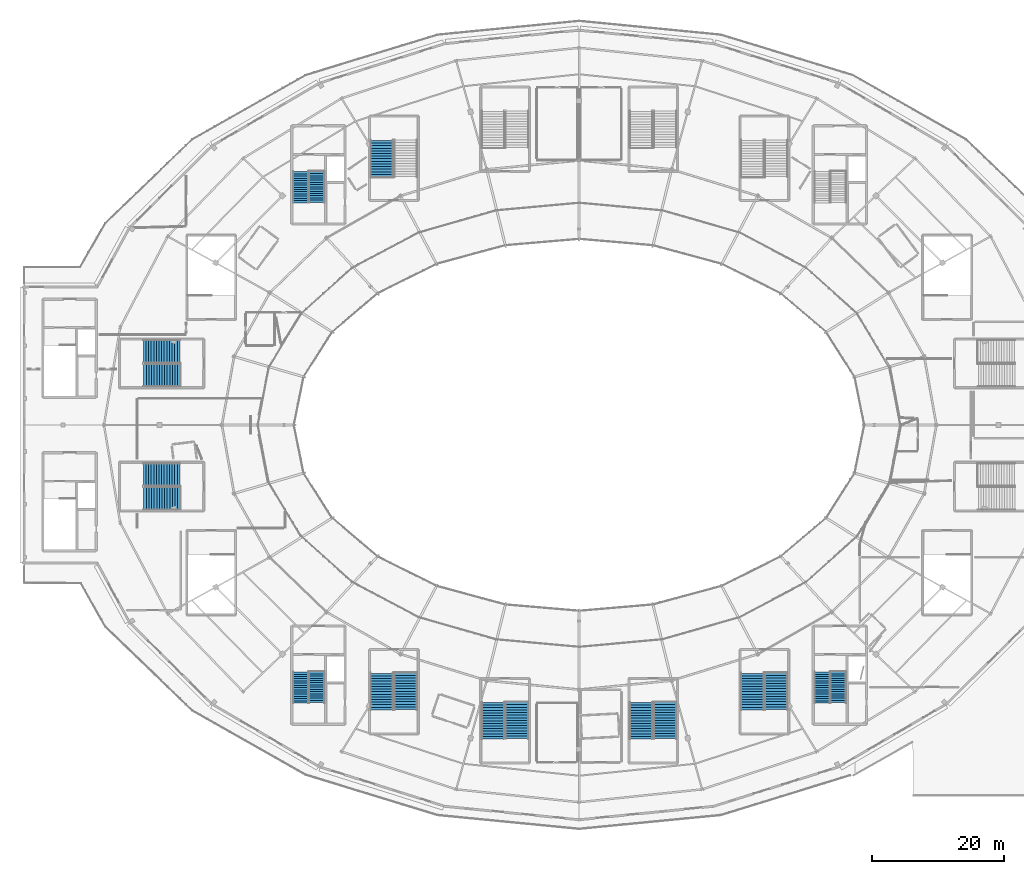
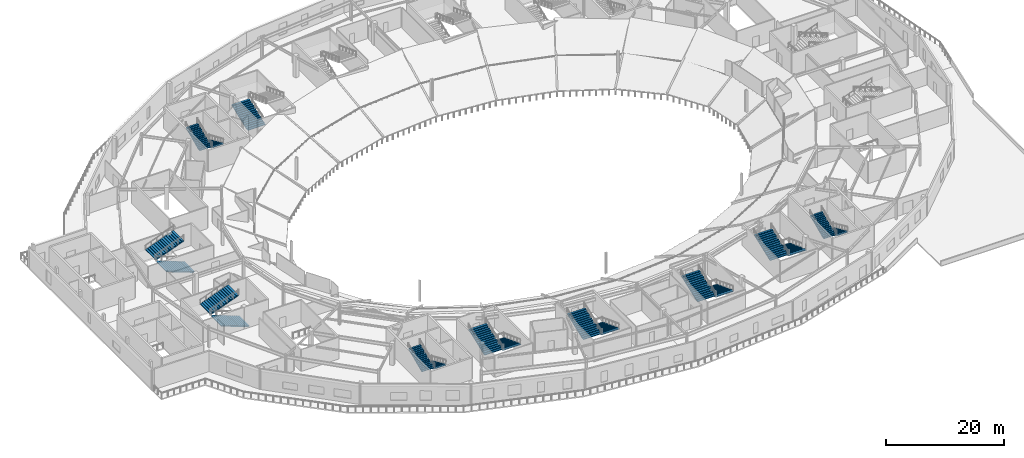
# One storey, part 43 of 63: 19 stair flights, 10 elements without a shape of their own.
"""IFC4 building model written with IfcOpenShell, lengths in metres."""

from ifc_helpers import new_model, si_unit, direction, frame, origin, place, context, subcontext, project, spatial, polyline, outline, extrude, material, type_object, element, aggregate, save


model = new_model("IFC4")

# Units and contexts
model_context = context("Model", 3, precision=1e-05, world=origin(), true_north=direction((0.0, 1.0)))
body_context = subcontext(model_context, "Body", "Model", "MODEL_VIEW")
ifc_project = project(units=[si_unit("LENGTHUNIT", "METRE"), si_unit("AREAUNIT", "SQUARE_METRE"), si_unit("VOLUMEUNIT", "CUBIC_METRE"), si_unit("PLANEANGLEUNIT", "RADIAN"), si_unit("MASSUNIT", "GRAM", prefix="KILO")], contexts=[model_context])

# Site, building, storey
site_placement = place(None, origin())
site = spatial("IfcSite", under=ifc_project, at=site_placement, CompositionType="ELEMENT")
building_placement = place(site_placement, origin())
building = spatial("IfcBuilding", under=site, at=building_placement, Name="Kalgoora Escarpment Arena", CompositionType="ELEMENT")
storey_placement = place(building_placement, frame((0.0, 0.0, 14.39990234375)))
storey = spatial("IfcBuildingStorey", under=building, at=storey_placement, Name="L03", CompositionType="ELEMENT", Elevation=14.39990234375)

# Stair, stair flights
ifc_material_1 = material(Name="Concrete N40 (fc' 40 MPa)", Category="concrete")
stair_type_1 = type_object("IfcStairType", Name="STR-EXIT-1", PredefinedType="HALF_TURN_STAIR", material=ifc_material_1)
stair_1_placement = place(storey_placement, origin())
stair_1 = element("IfcStair", 1, at=stair_1_placement, inside=storey, type_object=stair_type_1, Name="Fire-isolated exit stair ST05 (L03)", PredefinedType="HALF_TURN_STAIR")
ifc_material_2 = material(Name="Concrete N40 (fc' 40 MPa)", Category="concrete")
stair_flight_type_1 = type_object("IfcStairFlightType", Name="FLT-EXIT-1", PredefinedType="STRAIGHT", material=ifc_material_2)
stair_flight_1_placement = place(storey_placement, frame((52.760009765625, 26.72998046875, 0.0), z_axis=(0.0, 0.0, 1.0), x_axis=(0.0, -1.0, 0.0)))
stair_flight_1 = element("IfcStairFlight", 2, at=stair_flight_1_placement, type_object=stair_flight_type_1, Name="ST05 L03 lower flight", NumberOfRisers=15, NumberOfTreads=14, PredefinedType="STRAIGHT", RiserHeight=0.15, TreadLength=0.335, context=body_context, shape_type="SweptSolid", body=[
    extrude(outline(polyline([(0.0, 0.0), (0.0, 0.14990234375), (0.3349609375, 0.14990234375), (0.3349609375, 0.300048828125), (0.669921875, 0.300048828125), (0.669921875, 0.449951171875), (1.0048828125, 0.449951171875), (1.0048828125, 0.60009765625), (1.340087890625, 0.60009765625), (1.340087890625, 0.75), (1.675048828125, 0.75), (1.675048828125, 0.89990234375), (2.010009765625, 0.89990234375), (2.010009765625, 1.050048828125), (2.344970703125, 1.050048828125), (2.344970703125, 1.199951171875), (2.679931640625, 1.199951171875), (2.679931640625, 1.35009765625), (3.014892578125, 1.35009765625), (3.014892578125, 1.5), (3.35009765625, 1.5), (3.35009765625, 1.64990234375), (3.68505859375, 1.64990234375), (3.68505859375, 1.800048828125), (4.02001953125, 1.800048828125), (4.02001953125, 1.949951171875), (4.35498046875, 1.949951171875), (4.35498046875, 2.10009765625), (4.68994140625, 2.10009765625), (4.68994140625, 2.25), (4.68994140625, 1.913818359375), (0.415771484375, 0.0), (0.0, 0.0)])), frame((0.0, 1.18994140625, 0.0), z_axis=(0.0, -1.0, 0.0), x_axis=(1.0, 0.0, 0.0)), (0.0, 0.0, 1.0), 2.3798828125),
])
stair_flight_2_placement = place(storey_placement, frame((50.340087890625, 21.97998046875, 2.25), z_axis=(0.0, 0.0, 1.0), x_axis=(0.0, 1.0, 0.0)))
stair_flight_2 = element("IfcStairFlight", 3, at=stair_flight_2_placement, type_object=stair_flight_type_1, Name="ST05 L03 upper flight", NumberOfRisers=15, NumberOfTreads=14, PredefinedType="STRAIGHT", RiserHeight=0.15, TreadLength=0.335, context=body_context, shape_type="SweptSolid", body=[
    extrude(outline(polyline([(0.0, 0.0), (0.0, 0.14990234375), (0.3349609375, 0.14990234375), (0.3349609375, 0.300048828125), (0.669921875, 0.300048828125), (0.669921875, 0.449951171875), (1.0048828125, 0.449951171875), (1.0048828125, 0.60009765625), (1.340087890625, 0.60009765625), (1.340087890625, 0.75), (1.675048828125, 0.75), (1.675048828125, 0.89990234375), (2.010009765625, 0.89990234375), (2.010009765625, 1.050048828125), (2.344970703125, 1.050048828125), (2.344970703125, 1.199951171875), (2.679931640625, 1.199951171875), (2.679931640625, 1.35009765625), (3.014892578125, 1.35009765625), (3.014892578125, 1.5), (3.35009765625, 1.5), (3.35009765625, 1.64990234375), (3.68505859375, 1.64990234375), (3.68505859375, 1.800048828125), (4.02001953125, 1.800048828125), (4.02001953125, 1.949951171875), (4.35498046875, 1.949951171875), (4.35498046875, 2.10009765625), (4.68994140625, 2.10009765625), (4.68994140625, 2.25), (4.68994140625, 1.913818359375), (0.415771484375, 0.0), (0.0, 0.0)])), frame((0.0, 1.18994140625, 0.0), z_axis=(0.0, -1.0, 0.0), x_axis=(1.0, 0.0, 0.0)), (0.0, 0.0, 1.0), 2.3798828125),
])
aggregate(stair_1, [stair_flight_1, stair_flight_2])

ifc_material_3 = material(Name="Concrete N40 (fc' 40 MPa)", Category="concrete")
stair_type_2 = type_object("IfcStairType", Name="STR-EXIT-2", PredefinedType="HALF_TURN_STAIR", material=ifc_material_3)
stair_2_placement = place(storey_placement, origin())
stair_2 = element("IfcStair", 4, at=stair_2_placement, inside=storey, type_object=stair_type_2, Name="Fire-isolated exit stair ST06 (L03)", PredefinedType="HALF_TURN_STAIR")
ifc_material_4 = material(Name="Concrete N40 (fc' 40 MPa)", Category="concrete")
stair_flight_type_2 = type_object("IfcStairFlightType", Name="FLT-EXIT-2", PredefinedType="STRAIGHT", material=ifc_material_4)
stair_flight_3_placement = place(storey_placement, frame((131.5576171875, 26.72998046875, 0.0), z_axis=(0.0, 0.0, 1.0), x_axis=(0.0, -1.0, 0.0)))
stair_flight_3 = element("IfcStairFlight", 5, at=stair_flight_3_placement, type_object=stair_flight_type_2, Name="ST06 L03 lower flight", NumberOfRisers=15, NumberOfTreads=14, PredefinedType="STRAIGHT", RiserHeight=0.15, TreadLength=0.335, context=body_context, shape_type="SweptSolid", body=[
    extrude(outline(polyline([(0.0, 0.0), (0.0, 0.14990234375), (0.3349609375, 0.14990234375), (0.3349609375, 0.300048828125), (0.669921875, 0.300048828125), (0.669921875, 0.449951171875), (1.0048828125, 0.449951171875), (1.0048828125, 0.60009765625), (1.340087890625, 0.60009765625), (1.340087890625, 0.75), (1.675048828125, 0.75), (1.675048828125, 0.89990234375), (2.010009765625, 0.89990234375), (2.010009765625, 1.050048828125), (2.344970703125, 1.050048828125), (2.344970703125, 1.199951171875), (2.679931640625, 1.199951171875), (2.679931640625, 1.35009765625), (3.014892578125, 1.35009765625), (3.014892578125, 1.5), (3.35009765625, 1.5), (3.35009765625, 1.64990234375), (3.68505859375, 1.64990234375), (3.68505859375, 1.800048828125), (4.02001953125, 1.800048828125), (4.02001953125, 1.949951171875), (4.35498046875, 1.949951171875), (4.35498046875, 2.10009765625), (4.68994140625, 2.10009765625), (4.68994140625, 2.25), (4.68994140625, 1.913818359375), (0.415771484375, 0.0), (0.0, 0.0)])), frame((0.0, 1.1923828125, 0.0), z_axis=(0.0, -1.0, 0.0), x_axis=(1.0, 0.0, 0.0)), (0.0, 0.0, 1.0), 2.385009765625),
])
stair_flight_4_placement = place(storey_placement, frame((129.142578125, 21.97998046875, 2.25), z_axis=(0.0, 0.0, 1.0), x_axis=(0.0, 1.0, 0.0)))
stair_flight_4 = element("IfcStairFlight", 6, at=stair_flight_4_placement, type_object=stair_flight_type_2, Name="ST06 L03 upper flight", NumberOfRisers=15, NumberOfTreads=14, PredefinedType="STRAIGHT", RiserHeight=0.15, TreadLength=0.335, context=body_context, shape_type="SweptSolid", body=[
    extrude(outline(polyline([(0.0, 0.0), (0.0, 0.14990234375), (0.3349609375, 0.14990234375), (0.3349609375, 0.300048828125), (0.669921875, 0.300048828125), (0.669921875, 0.449951171875), (1.0048828125, 0.449951171875), (1.0048828125, 0.60009765625), (1.340087890625, 0.60009765625), (1.340087890625, 0.75), (1.675048828125, 0.75), (1.675048828125, 0.89990234375), (2.010009765625, 0.89990234375), (2.010009765625, 1.050048828125), (2.344970703125, 1.050048828125), (2.344970703125, 1.199951171875), (2.679931640625, 1.199951171875), (2.679931640625, 1.35009765625), (3.014892578125, 1.35009765625), (3.014892578125, 1.5), (3.35009765625, 1.5), (3.35009765625, 1.64990234375), (3.68505859375, 1.64990234375), (3.68505859375, 1.800048828125), (4.02001953125, 1.800048828125), (4.02001953125, 1.949951171875), (4.35498046875, 1.949951171875), (4.35498046875, 2.10009765625), (4.68994140625, 2.10009765625), (4.68994140625, 2.25), (4.68994140625, 1.913818359375), (0.415771484375, 0.0), (0.0, 0.0)])), frame((0.0, 1.1923828125, 0.0), z_axis=(0.0, -1.0, 0.0), x_axis=(1.0, 0.0, 0.0)), (0.0, 0.0, 1.0), 2.385009765625),
])
aggregate(stair_2, [stair_flight_3, stair_flight_4])

ifc_material_5 = material(Name="Concrete N40 (fc' 40 MPa)", Category="concrete")
stair_type_3 = type_object("IfcStairType", Name="STR-EXIT-3", PredefinedType="HALF_TURN_STAIR", material=ifc_material_5)
stair_3_placement = place(storey_placement, origin())
stair_3 = element("IfcStair", 7, at=stair_3_placement, inside=storey, type_object=stair_type_3, Name="Fire-isolated exit stair ST03 (L03)", PredefinedType="HALF_TURN_STAIR")
ifc_material_6 = material(Name="Concrete N40 (fc' 40 MPa)", Category="concrete")
stair_flight_type_3 = type_object("IfcStairFlightType", Name="FLT-EXIT-3", PredefinedType="STRAIGHT", material=ifc_material_6)
stair_flight_5_placement = place(storey_placement, frame((52.7548828125, 102.330078125, 0.0), z_axis=(0.0, 0.0, 1.0), x_axis=(0.0, -1.0, 0.0)))
stair_flight_5 = element("IfcStairFlight", 8, at=stair_flight_5_placement, type_object=stair_flight_type_3, Name="ST03 L03 lower flight", NumberOfRisers=15, NumberOfTreads=14, PredefinedType="STRAIGHT", RiserHeight=0.15, TreadLength=0.335, context=body_context, shape_type="SweptSolid", body=[
    extrude(outline(polyline([(0.0, 0.0), (0.0, 0.14990234375), (0.3349609375, 0.14990234375), (0.3349609375, 0.300048828125), (0.669921875, 0.300048828125), (0.669921875, 0.449951171875), (1.0048828125, 0.449951171875), (1.0048828125, 0.60009765625), (1.340087890625, 0.60009765625), (1.340087890625, 0.75), (1.675048828125, 0.75), (1.675048828125, 0.89990234375), (2.010009765625, 0.89990234375), (2.010009765625, 1.050048828125), (2.344970703125, 1.050048828125), (2.344970703125, 1.199951171875), (2.679931640625, 1.199951171875), (2.679931640625, 1.35009765625), (3.014892578125, 1.35009765625), (3.014892578125, 1.5), (3.35009765625, 1.5), (3.35009765625, 1.64990234375), (3.68505859375, 1.64990234375), (3.68505859375, 1.800048828125), (4.02001953125, 1.800048828125), (4.02001953125, 1.949951171875), (4.35498046875, 1.949951171875), (4.35498046875, 2.10009765625), (4.68994140625, 2.10009765625), (4.68994140625, 2.25), (4.68994140625, 1.913818359375), (0.415771484375, 0.0), (0.0, 0.0)])), frame((0.0, 1.19482421875, 0.0), z_axis=(0.0, -1.0, 0.0), x_axis=(1.0, 0.0, 0.0)), (0.0, 0.0, 1.0), 2.389892578125),
])
stair_flight_6_placement = place(storey_placement, frame((50.344970703125, 97.580078125, 2.25), z_axis=(0.0, 0.0, 1.0), x_axis=(0.0, 1.0, 0.0)))
stair_flight_6 = element("IfcStairFlight", 9, at=stair_flight_6_placement, type_object=stair_flight_type_3, Name="ST03 L03 upper flight", NumberOfRisers=15, NumberOfTreads=14, PredefinedType="STRAIGHT", RiserHeight=0.15, TreadLength=0.335, context=body_context, shape_type="SweptSolid", body=[
    extrude(outline(polyline([(0.0, 0.0), (0.0, 0.14990234375), (0.3349609375, 0.14990234375), (0.3349609375, 0.300048828125), (0.669921875, 0.300048828125), (0.669921875, 0.449951171875), (1.0048828125, 0.449951171875), (1.0048828125, 0.60009765625), (1.340087890625, 0.60009765625), (1.340087890625, 0.75), (1.675048828125, 0.75), (1.675048828125, 0.89990234375), (2.010009765625, 0.89990234375), (2.010009765625, 1.050048828125), (2.344970703125, 1.050048828125), (2.344970703125, 1.199951171875), (2.679931640625, 1.199951171875), (2.679931640625, 1.35009765625), (3.014892578125, 1.35009765625), (3.014892578125, 1.5), (3.35009765625, 1.5), (3.35009765625, 1.64990234375), (3.68505859375, 1.64990234375), (3.68505859375, 1.800048828125), (4.02001953125, 1.800048828125), (4.02001953125, 1.949951171875), (4.35498046875, 1.949951171875), (4.35498046875, 2.10009765625), (4.68994140625, 2.10009765625), (4.68994140625, 2.25), (4.68994140625, 1.913818359375), (0.415771484375, 0.0), (0.0, 0.0)])), frame((0.0, 1.19482421875, 0.0), z_axis=(0.0, -1.0, 0.0), x_axis=(1.0, 0.0, 0.0)), (0.0, 0.0, 1.0), 2.389892578125),
])
aggregate(stair_3, [stair_flight_5, stair_flight_6])

# Stair, stair flight
ifc_material_7 = material(Name="Precast concrete N50 (fc' 50 MPa)", Category="concrete")
stair_type_4 = type_object("IfcStairType", Name="STR-STAD-1", PredefinedType="HALF_TURN_STAIR", material=ifc_material_7)
stair_4_placement = place(storey_placement, origin())
stair_4 = element("IfcStair", 10, at=stair_4_placement, inside=storey, type_object=stair_type_4, Name="Fire-isolated exit stair ST09 (L03)", PredefinedType="HALF_TURN_STAIR")
ifc_material_8 = material(Name="Precast concrete N50 (fc' 50 MPa)", Category="concrete")
stair_flight_type_4 = type_object("IfcStairFlightType", Name="FLT-STAD-1", PredefinedType="STRAIGHT", material=ifc_material_8)
stair_flight_7_placement = place(storey_placement, frame((62.592529296875, 101.469970703125, 0.0), z_axis=(0.0, 0.0, 1.0), x_axis=(0.0, 1.0, 0.0)))
stair_flight_7 = element("IfcStairFlight", 11, at=stair_flight_7_placement, type_object=stair_flight_type_4, Name="ST09 L03 lower flight", NumberOfRisers=15, NumberOfTreads=14, PredefinedType="STRAIGHT", RiserHeight=0.15, TreadLength=0.395, context=body_context, shape_type="SweptSolid", body=[
    extrude(outline(polyline([(0.0, 0.0), (0.0, 0.14990234375), (0.39501953125, 0.14990234375), (0.39501953125, 0.300048828125), (0.7900390625, 0.300048828125), (0.7900390625, 0.449951171875), (1.18505859375, 0.449951171875), (1.18505859375, 0.60009765625), (1.580078125, 0.60009765625), (1.580078125, 0.75), (1.97509765625, 0.75), (1.97509765625, 0.89990234375), (2.3701171875, 0.89990234375), (2.3701171875, 1.050048828125), (2.764892578125, 1.050048828125), (2.764892578125, 1.199951171875), (3.159912109375, 1.199951171875), (3.159912109375, 1.35009765625), (3.554931640625, 1.35009765625), (3.554931640625, 1.5), (3.949951171875, 1.5), (3.949951171875, 1.64990234375), (4.344970703125, 1.64990234375), (4.344970703125, 1.800048828125), (4.739990234375, 1.800048828125), (4.739990234375, 1.949951171875), (5.135009765625, 1.949951171875), (5.135009765625, 2.10009765625), (5.530029296875, 2.10009765625), (5.530029296875, 2.25), (5.530029296875, 1.918212890625), (0.478759765625, 0.0), (0.0, 0.0)])), frame((0.0, 1.74267578125, 0.0), z_axis=(0.0, -1.0, 0.0), x_axis=(1.0, 0.0, 0.0)), (0.0, 0.0, 1.0), 3.485107421875),
])
aggregate(stair_4, [stair_flight_7])

# Stair, stair flights
stair_5_placement = place(storey_placement, origin())
stair_5 = element("IfcStair", 12, at=stair_5_placement, inside=storey, type_object=stair_type_4, Name="Fire-isolated exit stair ST13 (L03)", PredefinedType="HALF_TURN_STAIR")
stair_flight_8_placement = place(storey_placement, frame((66.20751953125, 26.530029296875, 0.0), z_axis=(0.0, 0.0, 1.0), x_axis=(0.0, -1.0, 0.0)))
stair_flight_8 = element("IfcStairFlight", 13, at=stair_flight_8_placement, type_object=stair_flight_type_4, Name="ST13 L03 lower flight", NumberOfRisers=15, NumberOfTreads=14, PredefinedType="STRAIGHT", RiserHeight=0.15, TreadLength=0.395, context=body_context, shape_type="SweptSolid", body=[
    extrude(outline(polyline([(0.0, 0.0), (0.0, 0.14990234375), (0.39501953125, 0.14990234375), (0.39501953125, 0.300048828125), (0.7900390625, 0.300048828125), (0.7900390625, 0.449951171875), (1.18505859375, 0.449951171875), (1.18505859375, 0.60009765625), (1.580078125, 0.60009765625), (1.580078125, 0.75), (1.97509765625, 0.75), (1.97509765625, 0.89990234375), (2.3701171875, 0.89990234375), (2.3701171875, 1.050048828125), (2.764892578125, 1.050048828125), (2.764892578125, 1.199951171875), (3.159912109375, 1.199951171875), (3.159912109375, 1.35009765625), (3.554931640625, 1.35009765625), (3.554931640625, 1.5), (3.949951171875, 1.5), (3.949951171875, 1.64990234375), (4.344970703125, 1.64990234375), (4.344970703125, 1.800048828125), (4.739990234375, 1.800048828125), (4.739990234375, 1.949951171875), (5.135009765625, 1.949951171875), (5.135009765625, 2.10009765625), (5.530029296875, 2.10009765625), (5.530029296875, 2.25), (5.530029296875, 1.918212890625), (0.478759765625, 0.0), (0.0, 0.0)])), frame((0.0, 1.74267578125, 0.0), z_axis=(0.0, -1.0, 0.0), x_axis=(1.0, 0.0, 0.0)), (0.0, 0.0, 1.0), 3.485107421875),
])
stair_flight_9_placement = place(storey_placement, frame((62.592529296875, 20.93994140625, 2.25), z_axis=(0.0, 0.0, 1.0), x_axis=(0.0, 1.0, 0.0)))
stair_flight_9 = element("IfcStairFlight", 14, at=stair_flight_9_placement, type_object=stair_flight_type_4, Name="ST13 L03 upper flight", NumberOfRisers=15, NumberOfTreads=14, PredefinedType="STRAIGHT", RiserHeight=0.15, TreadLength=0.395, context=body_context, shape_type="SweptSolid", body=[
    extrude(outline(polyline([(0.0, 0.0), (0.0, 0.14990234375), (0.39501953125, 0.14990234375), (0.39501953125, 0.300048828125), (0.7900390625, 0.300048828125), (0.7900390625, 0.449951171875), (1.18505859375, 0.449951171875), (1.18505859375, 0.60009765625), (1.580078125, 0.60009765625), (1.580078125, 0.75), (1.97509765625, 0.75), (1.97509765625, 0.89990234375), (2.3701171875, 0.89990234375), (2.3701171875, 1.050048828125), (2.764892578125, 1.050048828125), (2.764892578125, 1.199951171875), (3.159912109375, 1.199951171875), (3.159912109375, 1.35009765625), (3.554931640625, 1.35009765625), (3.554931640625, 1.5), (3.949951171875, 1.5), (3.949951171875, 1.64990234375), (4.344970703125, 1.64990234375), (4.344970703125, 1.800048828125), (4.739990234375, 1.800048828125), (4.739990234375, 1.949951171875), (5.135009765625, 1.949951171875), (5.135009765625, 2.10009765625), (5.530029296875, 2.10009765625), (5.530029296875, 2.25), (5.530029296875, 1.918212890625), (0.478759765625, 0.0), (0.0, 0.0)])), frame((0.0, 1.74267578125, 0.0), z_axis=(0.0, -1.0, 0.0), x_axis=(1.0, 0.0, 0.0)), (0.0, 0.0, 1.0), 3.485107421875),
])
aggregate(stair_5, [stair_flight_8, stair_flight_9])

stair_6_placement = place(storey_placement, origin())
stair_6 = element("IfcStair", 15, at=stair_6_placement, inside=storey, type_object=stair_type_4, Name="Fire-isolated exit stair ST17 (L03)", PredefinedType="HALF_TURN_STAIR")
stair_flight_10_placement = place(storey_placement, frame((32.1298828125, 71.492431640625, 0.0), z_axis=(0.0, 0.0, 1.0), x_axis=(-1.0, 0.0, 0.0)))
stair_flight_10 = element("IfcStairFlight", 16, at=stair_flight_10_placement, type_object=stair_flight_type_4, Name="ST17 L03 lower flight", NumberOfRisers=15, NumberOfTreads=14, PredefinedType="STRAIGHT", RiserHeight=0.15, TreadLength=0.395, context=body_context, shape_type="SweptSolid", body=[
    extrude(outline(polyline([(0.0, 0.0), (0.0, 0.14990234375), (0.39501953125, 0.14990234375), (0.39501953125, 0.300048828125), (0.7900390625, 0.300048828125), (0.7900390625, 0.449951171875), (1.18505859375, 0.449951171875), (1.18505859375, 0.60009765625), (1.580078125, 0.60009765625), (1.580078125, 0.75), (1.97509765625, 0.75), (1.97509765625, 0.89990234375), (2.3701171875, 0.89990234375), (2.3701171875, 1.050048828125), (2.764892578125, 1.050048828125), (2.764892578125, 1.199951171875), (3.159912109375, 1.199951171875), (3.159912109375, 1.35009765625), (3.554931640625, 1.35009765625), (3.554931640625, 1.5), (3.949951171875, 1.5), (3.949951171875, 1.64990234375), (4.344970703125, 1.64990234375), (4.344970703125, 1.800048828125), (4.739990234375, 1.800048828125), (4.739990234375, 1.949951171875), (5.135009765625, 1.949951171875), (5.135009765625, 2.10009765625), (5.530029296875, 2.10009765625), (5.530029296875, 2.25), (5.530029296875, 1.918212890625), (0.478759765625, 0.0), (0.0, 0.0)])), frame((0.0, 1.74267578125, 0.0), z_axis=(0.0, -1.0, 0.0), x_axis=(1.0, 0.0, 0.0)), (0.0, 0.0, 1.0), 3.485107421875),
])
stair_flight_11_placement = place(storey_placement, frame((26.5400390625, 75.107421875, 2.25), z_axis=(0.0, 0.0, 1.0), x_axis=(1.0, 0.0, 0.0)))
stair_flight_11 = element("IfcStairFlight", 17, at=stair_flight_11_placement, type_object=stair_flight_type_4, Name="ST17 L03 upper flight", NumberOfRisers=15, NumberOfTreads=14, PredefinedType="STRAIGHT", RiserHeight=0.15, TreadLength=0.395, context=body_context, shape_type="SweptSolid", body=[
    extrude(outline(polyline([(0.0, 0.0), (0.0, 0.14990234375), (0.39501953125, 0.14990234375), (0.39501953125, 0.300048828125), (0.7900390625, 0.300048828125), (0.7900390625, 0.449951171875), (1.18505859375, 0.449951171875), (1.18505859375, 0.60009765625), (1.580078125, 0.60009765625), (1.580078125, 0.75), (1.97509765625, 0.75), (1.97509765625, 0.89990234375), (2.3701171875, 0.89990234375), (2.3701171875, 1.050048828125), (2.764892578125, 1.050048828125), (2.764892578125, 1.199951171875), (3.159912109375, 1.199951171875), (3.159912109375, 1.35009765625), (3.554931640625, 1.35009765625), (3.554931640625, 1.5), (3.949951171875, 1.5), (3.949951171875, 1.64990234375), (4.344970703125, 1.64990234375), (4.344970703125, 1.800048828125), (4.739990234375, 1.800048828125), (4.739990234375, 1.949951171875), (5.135009765625, 1.949951171875), (5.135009765625, 2.10009765625), (5.530029296875, 2.10009765625), (5.530029296875, 2.25), (5.530029296875, 1.918212890625), (0.478759765625, 0.0), (0.0, 0.0)])), frame((0.0, 1.74267578125, 0.0), z_axis=(0.0, -1.0, 0.0), x_axis=(1.0, 0.0, 0.0)), (0.0, 0.0, 1.0), 3.485107421875),
])
aggregate(stair_6, [stair_flight_10, stair_flight_11])

ifc_material_9 = material(Name="Precast concrete N50 (fc' 50 MPa)", Category="concrete")
stair_type_5 = type_object("IfcStairType", Name="STR-STAD-2", PredefinedType="HALF_TURN_STAIR", material=ifc_material_9)
stair_7_placement = place(storey_placement, origin())
stair_7 = element("IfcStair", 18, at=stair_7_placement, inside=storey, type_object=stair_type_5, Name="Fire-isolated exit stair ST14 (L03)", PredefinedType="HALF_TURN_STAIR")
ifc_material_10 = material(Name="Precast concrete N50 (fc' 50 MPa)", Category="concrete")
stair_flight_type_5 = type_object("IfcStairFlightType", Name="FLT-STAD-2", PredefinedType="STRAIGHT", material=ifc_material_10)
stair_flight_12_placement = place(storey_placement, frame((83.0048828125, 22.1298828125, 0.0), z_axis=(0.0, 0.0, 1.0), x_axis=(0.0, -1.0, 0.0)))
stair_flight_12 = element("IfcStairFlight", 19, at=stair_flight_12_placement, type_object=stair_flight_type_5, Name="ST14 L03 lower flight", NumberOfRisers=15, NumberOfTreads=14, PredefinedType="STRAIGHT", RiserHeight=0.15, TreadLength=0.395, context=body_context, shape_type="SweptSolid", body=[
    extrude(outline(polyline([(0.0, 0.0), (0.0, 0.14990234375), (0.39501953125, 0.14990234375), (0.39501953125, 0.300048828125), (0.7900390625, 0.300048828125), (0.7900390625, 0.449951171875), (1.18505859375, 0.449951171875), (1.18505859375, 0.60009765625), (1.580078125, 0.60009765625), (1.580078125, 0.75), (1.97509765625, 0.75), (1.97509765625, 0.89990234375), (2.3701171875, 0.89990234375), (2.3701171875, 1.050048828125), (2.764892578125, 1.050048828125), (2.764892578125, 1.199951171875), (3.159912109375, 1.199951171875), (3.159912109375, 1.35009765625), (3.554931640625, 1.35009765625), (3.554931640625, 1.5), (3.949951171875, 1.5), (3.949951171875, 1.64990234375), (4.344970703125, 1.64990234375), (4.344970703125, 1.800048828125), (4.739990234375, 1.800048828125), (4.739990234375, 1.949951171875), (5.135009765625, 1.949951171875), (5.135009765625, 2.10009765625), (5.530029296875, 2.10009765625), (5.530029296875, 2.25), (5.530029296875, 1.918212890625), (0.478759765625, 0.0), (0.0, 0.0)])), frame((0.0, 1.7451171875, 0.0), z_axis=(0.0, -1.0, 0.0), x_axis=(1.0, 0.0, 0.0)), (0.0, 0.0, 1.0), 3.489990234375),
])
stair_flight_13_placement = place(storey_placement, frame((79.39501953125, 16.5400390625, 2.25), z_axis=(0.0, 0.0, 1.0), x_axis=(0.0, 1.0, 0.0)))
stair_flight_13 = element("IfcStairFlight", 20, at=stair_flight_13_placement, type_object=stair_flight_type_5, Name="ST14 L03 upper flight", NumberOfRisers=15, NumberOfTreads=14, PredefinedType="STRAIGHT", RiserHeight=0.15, TreadLength=0.395, context=body_context, shape_type="SweptSolid", body=[
    extrude(outline(polyline([(0.0, 0.0), (0.0, 0.14990234375), (0.39501953125, 0.14990234375), (0.39501953125, 0.300048828125), (0.7900390625, 0.300048828125), (0.7900390625, 0.449951171875), (1.18505859375, 0.449951171875), (1.18505859375, 0.60009765625), (1.580078125, 0.60009765625), (1.580078125, 0.75), (1.97509765625, 0.75), (1.97509765625, 0.89990234375), (2.3701171875, 0.89990234375), (2.3701171875, 1.050048828125), (2.764892578125, 1.050048828125), (2.764892578125, 1.199951171875), (3.159912109375, 1.199951171875), (3.159912109375, 1.35009765625), (3.554931640625, 1.35009765625), (3.554931640625, 1.5), (3.949951171875, 1.5), (3.949951171875, 1.64990234375), (4.344970703125, 1.64990234375), (4.344970703125, 1.800048828125), (4.739990234375, 1.800048828125), (4.739990234375, 1.949951171875), (5.135009765625, 1.949951171875), (5.135009765625, 2.10009765625), (5.530029296875, 2.10009765625), (5.530029296875, 2.25), (5.530029296875, 1.918212890625), (0.478759765625, 0.0), (0.0, 0.0)])), frame((0.0, 1.7451171875, 0.0), z_axis=(0.0, -1.0, 0.0), x_axis=(1.0, 0.0, 0.0)), (0.0, 0.0, 1.0), 3.489990234375),
])
aggregate(stair_7, [stair_flight_12, stair_flight_13])

stair_8_placement = place(storey_placement, origin())
stair_8 = element("IfcStair", 21, at=stair_8_placement, inside=storey, type_object=stair_type_5, Name="Fire-isolated exit stair ST18 (L03)", PredefinedType="HALF_TURN_STAIR")
stair_flight_14_placement = place(storey_placement, frame((32.1298828125, 52.89501953125, 0.0), z_axis=(0.0, 0.0, 1.0), x_axis=(-1.0, 0.0, 0.0)))
stair_flight_14 = element("IfcStairFlight", 22, at=stair_flight_14_placement, type_object=stair_flight_type_5, Name="ST18 L03 lower flight", NumberOfRisers=15, NumberOfTreads=14, PredefinedType="STRAIGHT", RiserHeight=0.15, TreadLength=0.395, context=body_context, shape_type="SweptSolid", body=[
    extrude(outline(polyline([(0.0, 0.0), (0.0, 0.14990234375), (0.39501953125, 0.14990234375), (0.39501953125, 0.300048828125), (0.7900390625, 0.300048828125), (0.7900390625, 0.449951171875), (1.18505859375, 0.449951171875), (1.18505859375, 0.60009765625), (1.580078125, 0.60009765625), (1.580078125, 0.75), (1.97509765625, 0.75), (1.97509765625, 0.89990234375), (2.3701171875, 0.89990234375), (2.3701171875, 1.050048828125), (2.764892578125, 1.050048828125), (2.764892578125, 1.199951171875), (3.159912109375, 1.199951171875), (3.159912109375, 1.35009765625), (3.554931640625, 1.35009765625), (3.554931640625, 1.5), (3.949951171875, 1.5), (3.949951171875, 1.64990234375), (4.344970703125, 1.64990234375), (4.344970703125, 1.800048828125), (4.739990234375, 1.800048828125), (4.739990234375, 1.949951171875), (5.135009765625, 1.949951171875), (5.135009765625, 2.10009765625), (5.530029296875, 2.10009765625), (5.530029296875, 2.25), (5.530029296875, 1.918212890625), (0.478759765625, 0.0), (0.0, 0.0)])), frame((0.0, 1.7451171875, 0.0), z_axis=(0.0, -1.0, 0.0), x_axis=(1.0, 0.0, 0.0)), (0.0, 0.0, 1.0), 3.489990234375),
])
stair_flight_15_placement = place(storey_placement, frame((26.5400390625, 56.5048828125, 2.25), z_axis=(0.0, 0.0, 1.0), x_axis=(1.0, 0.0, 0.0)))
stair_flight_15 = element("IfcStairFlight", 23, at=stair_flight_15_placement, type_object=stair_flight_type_5, Name="ST18 L03 upper flight", NumberOfRisers=15, NumberOfTreads=14, PredefinedType="STRAIGHT", RiserHeight=0.15, TreadLength=0.395, context=body_context, shape_type="SweptSolid", body=[
    extrude(outline(polyline([(0.0, 0.0), (0.0, 0.14990234375), (0.39501953125, 0.14990234375), (0.39501953125, 0.300048828125), (0.7900390625, 0.300048828125), (0.7900390625, 0.449951171875), (1.18505859375, 0.449951171875), (1.18505859375, 0.60009765625), (1.580078125, 0.60009765625), (1.580078125, 0.75), (1.97509765625, 0.75), (1.97509765625, 0.89990234375), (2.3701171875, 0.89990234375), (2.3701171875, 1.050048828125), (2.764892578125, 1.050048828125), (2.764892578125, 1.199951171875), (3.159912109375, 1.199951171875), (3.159912109375, 1.35009765625), (3.554931640625, 1.35009765625), (3.554931640625, 1.5), (3.949951171875, 1.5), (3.949951171875, 1.64990234375), (4.344970703125, 1.64990234375), (4.344970703125, 1.800048828125), (4.739990234375, 1.800048828125), (4.739990234375, 1.949951171875), (5.135009765625, 1.949951171875), (5.135009765625, 2.10009765625), (5.530029296875, 2.10009765625), (5.530029296875, 2.25), (5.530029296875, 1.918212890625), (0.478759765625, 0.0), (0.0, 0.0)])), frame((0.0, 1.7451171875, 0.0), z_axis=(0.0, -1.0, 0.0), x_axis=(1.0, 0.0, 0.0)), (0.0, 0.0, 1.0), 3.489990234375),
])
aggregate(stair_8, [stair_flight_14, stair_flight_15])

ifc_material_11 = material(Name="Precast concrete N50 (fc' 50 MPa)", Category="concrete")
stair_type_6 = type_object("IfcStairType", Name="STR-STAD-3", PredefinedType="HALF_TURN_STAIR", material=ifc_material_11)
stair_9_placement = place(storey_placement, origin())
stair_9 = element("IfcStair", 24, at=stair_9_placement, inside=storey, type_object=stair_type_6, Name="Fire-isolated exit stair ST15 (L03)", PredefinedType="HALF_TURN_STAIR")
ifc_material_12 = material(Name="Precast concrete N50 (fc' 50 MPa)", Category="concrete")
stair_flight_type_6 = type_object("IfcStairFlightType", Name="FLT-STAD-3", PredefinedType="STRAIGHT", material=ifc_material_12)
stair_flight_16_placement = place(storey_placement, frame((105.402587890625, 22.1298828125, 0.0), z_axis=(0.0, 0.0, 1.0), x_axis=(0.0, -1.0, 0.0)))
stair_flight_16 = element("IfcStairFlight", 25, at=stair_flight_16_placement, type_object=stair_flight_type_6, Name="ST15 L03 lower flight", NumberOfRisers=15, NumberOfTreads=14, PredefinedType="STRAIGHT", RiserHeight=0.15, TreadLength=0.395, context=body_context, shape_type="SweptSolid", body=[
    extrude(outline(polyline([(0.0, 0.0), (0.0, 0.14990234375), (0.39501953125, 0.14990234375), (0.39501953125, 0.300048828125), (0.7900390625, 0.300048828125), (0.7900390625, 0.449951171875), (1.18505859375, 0.449951171875), (1.18505859375, 0.60009765625), (1.580078125, 0.60009765625), (1.580078125, 0.75), (1.97509765625, 0.75), (1.97509765625, 0.89990234375), (2.3701171875, 0.89990234375), (2.3701171875, 1.050048828125), (2.764892578125, 1.050048828125), (2.764892578125, 1.199951171875), (3.159912109375, 1.199951171875), (3.159912109375, 1.35009765625), (3.554931640625, 1.35009765625), (3.554931640625, 1.5), (3.949951171875, 1.5), (3.949951171875, 1.64990234375), (4.344970703125, 1.64990234375), (4.344970703125, 1.800048828125), (4.739990234375, 1.800048828125), (4.739990234375, 1.949951171875), (5.135009765625, 1.949951171875), (5.135009765625, 2.10009765625), (5.530029296875, 2.10009765625), (5.530029296875, 2.25), (5.530029296875, 1.918212890625), (0.478759765625, 0.0), (0.0, 0.0)])), frame((0.0, 1.74755859375, 0.0), z_axis=(0.0, -1.0, 0.0), x_axis=(1.0, 0.0, 0.0)), (0.0, 0.0, 1.0), 3.4951171875),
])
stair_flight_17_placement = place(storey_placement, frame((101.797607421875, 16.5400390625, 2.25), z_axis=(0.0, 0.0, 1.0), x_axis=(0.0, 1.0, 0.0)))
stair_flight_17 = element("IfcStairFlight", 26, at=stair_flight_17_placement, type_object=stair_flight_type_6, Name="ST15 L03 upper flight", NumberOfRisers=15, NumberOfTreads=14, PredefinedType="STRAIGHT", RiserHeight=0.15, TreadLength=0.395, context=body_context, shape_type="SweptSolid", body=[
    extrude(outline(polyline([(0.0, 0.0), (0.0, 0.14990234375), (0.39501953125, 0.14990234375), (0.39501953125, 0.300048828125), (0.7900390625, 0.300048828125), (0.7900390625, 0.449951171875), (1.18505859375, 0.449951171875), (1.18505859375, 0.60009765625), (1.580078125, 0.60009765625), (1.580078125, 0.75), (1.97509765625, 0.75), (1.97509765625, 0.89990234375), (2.3701171875, 0.89990234375), (2.3701171875, 1.050048828125), (2.764892578125, 1.050048828125), (2.764892578125, 1.199951171875), (3.159912109375, 1.199951171875), (3.159912109375, 1.35009765625), (3.554931640625, 1.35009765625), (3.554931640625, 1.5), (3.949951171875, 1.5), (3.949951171875, 1.64990234375), (4.344970703125, 1.64990234375), (4.344970703125, 1.800048828125), (4.739990234375, 1.800048828125), (4.739990234375, 1.949951171875), (5.135009765625, 1.949951171875), (5.135009765625, 2.10009765625), (5.530029296875, 2.10009765625), (5.530029296875, 2.25), (5.530029296875, 1.918212890625), (0.478759765625, 0.0), (0.0, 0.0)])), frame((0.0, 1.74755859375, 0.0), z_axis=(0.0, -1.0, 0.0), x_axis=(1.0, 0.0, 0.0)), (0.0, 0.0, 1.0), 3.4951171875),
])
aggregate(stair_9, [stair_flight_16, stair_flight_17])

ifc_material_13 = material(Name="Precast concrete N50 (fc' 50 MPa)", Category="concrete")
stair_type_7 = type_object("IfcStairType", Name="STR-STAD-4", PredefinedType="HALF_TURN_STAIR", material=ifc_material_13)
stair_10_placement = place(storey_placement, origin())
stair_10 = element("IfcStair", 27, at=stair_10_placement, inside=storey, type_object=stair_type_7, Name="Fire-isolated exit stair ST16 (L03)", PredefinedType="HALF_TURN_STAIR")
ifc_material_14 = material(Name="Precast concrete N50 (fc' 50 MPa)", Category="concrete")
stair_flight_type_7 = type_object("IfcStairFlightType", Name="FLT-STAD-4", PredefinedType="STRAIGHT", material=ifc_material_14)
stair_flight_18_placement = place(storey_placement, frame((122.199951171875, 26.530029296875, 0.0), z_axis=(0.0, 0.0, 1.0), x_axis=(0.0, -1.0, 0.0)))
stair_flight_18 = element("IfcStairFlight", 28, at=stair_flight_18_placement, type_object=stair_flight_type_7, Name="ST16 L03 lower flight", NumberOfRisers=15, NumberOfTreads=14, PredefinedType="STRAIGHT", RiserHeight=0.15, TreadLength=0.395, context=body_context, shape_type="SweptSolid", body=[
    extrude(outline(polyline([(0.0, 0.0), (0.0, 0.14990234375), (0.39501953125, 0.14990234375), (0.39501953125, 0.300048828125), (0.7900390625, 0.300048828125), (0.7900390625, 0.449951171875), (1.18505859375, 0.449951171875), (1.18505859375, 0.60009765625), (1.580078125, 0.60009765625), (1.580078125, 0.75), (1.97509765625, 0.75), (1.97509765625, 0.89990234375), (2.3701171875, 0.89990234375), (2.3701171875, 1.050048828125), (2.764892578125, 1.050048828125), (2.764892578125, 1.199951171875), (3.159912109375, 1.199951171875), (3.159912109375, 1.35009765625), (3.554931640625, 1.35009765625), (3.554931640625, 1.5), (3.949951171875, 1.5), (3.949951171875, 1.64990234375), (4.344970703125, 1.64990234375), (4.344970703125, 1.800048828125), (4.739990234375, 1.800048828125), (4.739990234375, 1.949951171875), (5.135009765625, 1.949951171875), (5.135009765625, 2.10009765625), (5.530029296875, 2.10009765625), (5.530029296875, 2.25), (5.530029296875, 1.918212890625), (0.478759765625, 0.0), (0.0, 0.0)])), frame((0.0, 1.75, 0.0), z_axis=(0.0, -1.0, 0.0), x_axis=(1.0, 0.0, 0.0)), (0.0, 0.0, 1.0), 3.5),
])
stair_flight_19_placement = place(storey_placement, frame((118.60009765625, 20.93994140625, 2.25), z_axis=(0.0, 0.0, 1.0), x_axis=(0.0, 1.0, 0.0)))
stair_flight_19 = element("IfcStairFlight", 29, at=stair_flight_19_placement, type_object=stair_flight_type_7, Name="ST16 L03 upper flight", NumberOfRisers=15, NumberOfTreads=14, PredefinedType="STRAIGHT", RiserHeight=0.15, TreadLength=0.395, context=body_context, shape_type="SweptSolid", body=[
    extrude(outline(polyline([(0.0, 0.0), (0.0, 0.14990234375), (0.39501953125, 0.14990234375), (0.39501953125, 0.300048828125), (0.7900390625, 0.300048828125), (0.7900390625, 0.449951171875), (1.18505859375, 0.449951171875), (1.18505859375, 0.60009765625), (1.580078125, 0.60009765625), (1.580078125, 0.75), (1.97509765625, 0.75), (1.97509765625, 0.89990234375), (2.3701171875, 0.89990234375), (2.3701171875, 1.050048828125), (2.764892578125, 1.050048828125), (2.764892578125, 1.199951171875), (3.159912109375, 1.199951171875), (3.159912109375, 1.35009765625), (3.554931640625, 1.35009765625), (3.554931640625, 1.5), (3.949951171875, 1.5), (3.949951171875, 1.64990234375), (4.344970703125, 1.64990234375), (4.344970703125, 1.800048828125), (4.739990234375, 1.800048828125), (4.739990234375, 1.949951171875), (5.135009765625, 1.949951171875), (5.135009765625, 2.10009765625), (5.530029296875, 2.10009765625), (5.530029296875, 2.25), (5.530029296875, 1.918212890625), (0.478759765625, 0.0), (0.0, 0.0)])), frame((0.0, 1.75, 0.0), z_axis=(0.0, -1.0, 0.0), x_axis=(1.0, 0.0, 0.0)), (0.0, 0.0, 1.0), 3.5),
])
aggregate(stair_10, [stair_flight_18, stair_flight_19])

save(model, "model.ifc")
